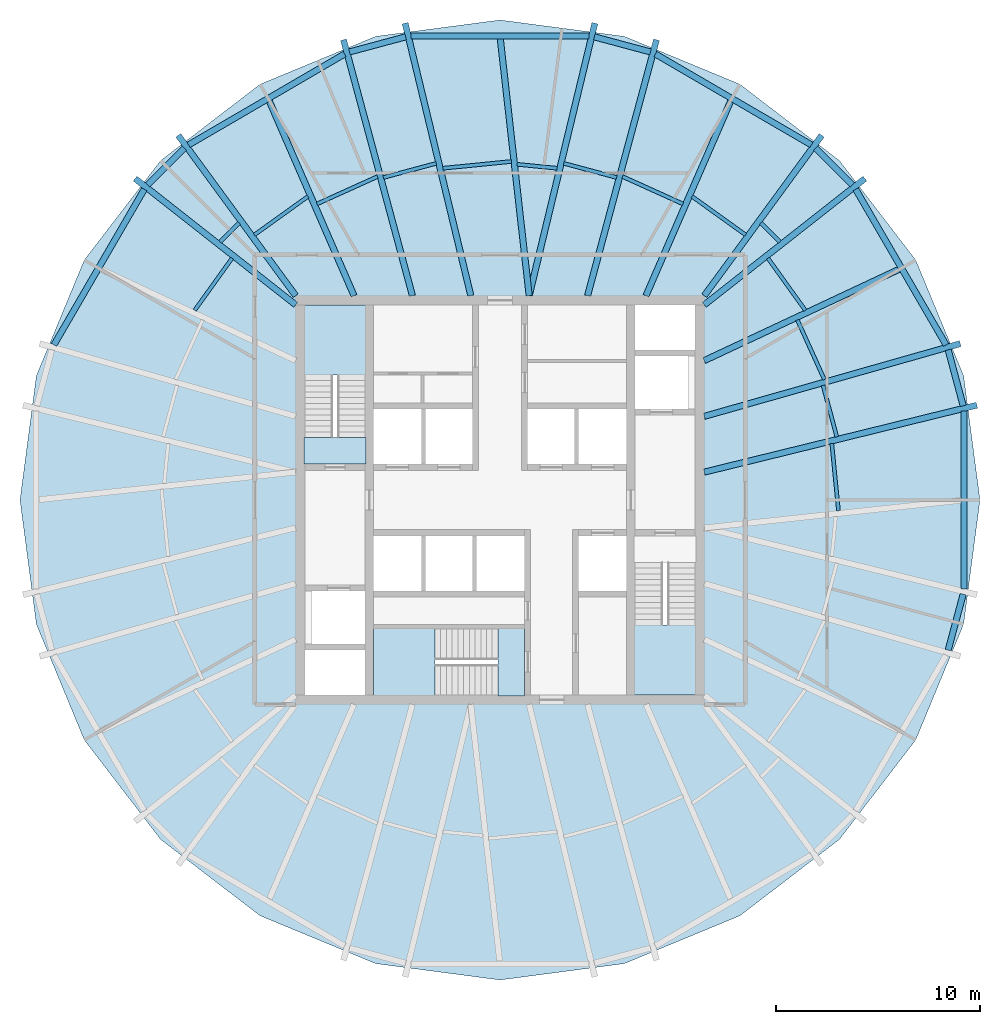
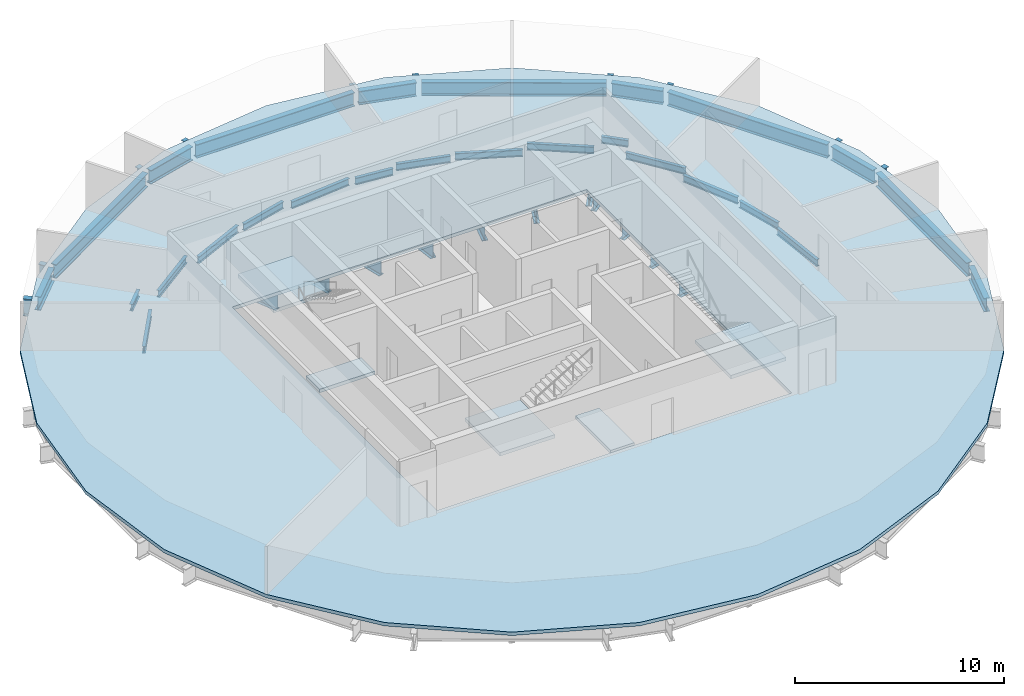
# One storey, part 2 of 6: 41 beams, 6 slabs, 3 elements without a shape of their own.
"""IFC4 building model written with IfcOpenShell, lengths in metres."""

from ifc_helpers import new_model, si_unit, direction, frame, origin, origin_2d, place, context, subcontext, project, spatial, polyline, i_section, outline, extrude, material, layer, layer_set, material_profile, profile_set, type_object, element, aggregate, save


model = new_model("IFC4")

# Units and contexts
model_context = context("Model", 3, precision=1e-05, world=origin(), true_north=direction((0.0, 1.0)))
body_context = subcontext(model_context, "Body", "Model", "MODEL_VIEW")
ifc_project = project(units=[si_unit("LENGTHUNIT", "METRE"), si_unit("AREAUNIT", "SQUARE_METRE"), si_unit("VOLUMEUNIT", "CUBIC_METRE"), si_unit("PLANEANGLEUNIT", "RADIAN"), si_unit("MASSUNIT", "GRAM", prefix="KILO")], contexts=[model_context])

# Site, building, storey
site_placement = place(None, origin())
site = spatial("IfcSite", under=ifc_project, at=site_placement, CompositionType="ELEMENT")
building_placement = place(site_placement, origin())
building = spatial("IfcBuilding", under=site, at=building_placement, Name="Golbaran Civic Tower", CompositionType="ELEMENT")
storey_placement = place(building_placement, frame((0.0, 0.0, 203.0)))
storey = spatial("IfcBuildingStorey", under=building, at=storey_placement, Name="L49", CompositionType="ELEMENT", Elevation=203.0)

# Beams
ifc_material_1 = material(Name="Steel S355", Category="steel")
ifc_material_profile_1 = material_profile(ifc_material_1, i_section(OverallWidth=0.300048828125, OverallDepth=0.800048828125, WebThickness=0.017578125, FlangeThickness=0.032958984375, FilletRadius=0.030029296875, at=origin_2d()), Name="HEB 800")
ifc_profile_set_1 = profile_set([ifc_material_profile_1], Name="Steel S355")
beam_type_1 = type_object("IfcBeamType", Name="EDGE BEAM HEB 800", PredefinedType="BEAM", material=ifc_profile_set_1)
beam_1_placement = place(storey_placement, frame((22.663330078125, 4.608642578125, -0.60009765625), z_axis=(-0.259012973033, 0.965873842591, 0.0), x_axis=(-0.965873842591, -0.259012973033, 0.0)))
element("IfcBeam", 1, at=beam_1_placement, inside=storey, type_object=beam_type_1, Name="Edge beam 11.30 L49", PredefinedType="BEAM", context=body_context, shape_type="SweptSolid", body=[
    extrude(i_section(OverallWidth=0.300048828125, OverallDepth=0.800048828125, WebThickness=0.017578125, FlangeThickness=0.032958984375, FilletRadius=0.030029296875, at=origin_2d()), origin(), (0.0, 0.0, 1.0), 2.835205078125),
])
beam_2_placement = place(storey_placement, frame((21.827880859375, 7.5888671875, -0.60009765625), z_axis=(-0.502360809211, 0.864658092756, 0.0), x_axis=(-0.864658092756, -0.502360809211, 0.0)))
element("IfcBeam", 2, at=beam_2_placement, inside=storey, type_object=beam_type_1, Name="Edge beam 18.70 L49", PredefinedType="BEAM", context=body_context, shape_type="SweptSolid", body=[
    extrude(i_section(OverallWidth=0.300048828125, OverallDepth=0.800048828125, WebThickness=0.017578125, FlangeThickness=0.032958984375, FilletRadius=0.030029296875, at=origin_2d()), origin(), (0.0, 0.0, 1.0), 8.8095703125),
])
beam_3_placement = place(storey_placement, frame((17.243896484375, 15.412353515625, -0.60009765625), z_axis=(-0.706483674404, 0.707729339367, 0.0), x_axis=(-0.707729339367, -0.706483674404, 0.0)))
element("IfcBeam", 3, at=beam_3_placement, inside=storey, type_object=beam_type_1, Name="Edge beam 41.30 L49", PredefinedType="BEAM", context=body_context, shape_type="SweptSolid", body=[
    extrude(i_section(OverallWidth=0.300048828125, OverallDepth=0.800048828125, WebThickness=0.017578125, FlangeThickness=0.032958984375, FilletRadius=0.030029296875, at=origin_2d()), origin(), (0.0, 0.0, 1.0), 2.5478515625),
])
beam_4_placement = place(storey_placement, frame((15.238037109375, 17.37451171875, -0.60009765625), z_axis=(-0.864030378393, 0.503439673858, 0.0), x_axis=(-0.503439673858, -0.864030378393, 0.0)))
element("IfcBeam", 4, at=beam_4_placement, inside=storey, type_object=beam_type_1, Name="Edge beam 48.70 L49", PredefinedType="BEAM", context=body_context, shape_type="SweptSolid", body=[
    extrude(i_section(OverallWidth=0.300048828125, OverallDepth=0.800048828125, WebThickness=0.017578125, FlangeThickness=0.032958984375, FilletRadius=0.030029296875, at=origin_2d()), origin(), (0.0, 0.0, 1.0), 8.834228515625),
])
beam_5_placement = place(storey_placement, frame((7.363037109375, 21.923583984375, -0.60009765625), z_axis=(-0.965762168807, 0.259429052539, 0.0), x_axis=(-0.259429052539, -0.965762168807, 0.0)))
element("IfcBeam", 5, at=beam_5_placement, inside=storey, type_object=beam_type_1, Name="Edge beam 71.30 L49", PredefinedType="BEAM", context=body_context, shape_type="SweptSolid", body=[
    extrude(i_section(OverallWidth=0.300048828125, OverallDepth=0.800048828125, WebThickness=0.017578125, FlangeThickness=0.032958984375, FilletRadius=0.030029296875, at=origin_2d()), origin(), (0.0, 0.0, 1.0), 2.8466796875),
])
beam_6_placement = place(storey_placement, frame((4.3544921875, 22.69580078125, -0.60009765625), z_axis=(-1.0, 0.0, 0.0), x_axis=(0.0, -1.0, 0.0)))
element("IfcBeam", 6, at=beam_6_placement, inside=storey, type_object=beam_type_1, Name="Edge beam 78.70 L49", PredefinedType="BEAM", context=body_context, shape_type="SweptSolid", body=[
    extrude(i_section(OverallWidth=0.300048828125, OverallDepth=0.800048828125, WebThickness=0.017578125, FlangeThickness=0.032958984375, FilletRadius=0.030029296875, at=origin_2d()), origin(), (0.0, 0.0, 1.0), 8.708984375),
])
beam_7_placement = place(storey_placement, frame((-4.61376953125, 22.662109375, -0.60009765625), z_axis=(-0.965762168807, -0.259429052539, 0.0), x_axis=(0.259429052539, -0.965762168807, 0.0)))
element("IfcBeam", 7, at=beam_7_placement, inside=storey, type_object=beam_type_1, Name="Edge beam 101.30 L49", PredefinedType="BEAM", context=body_context, shape_type="SweptSolid", body=[
    extrude(i_section(OverallWidth=0.300048828125, OverallDepth=0.800048828125, WebThickness=0.017578125, FlangeThickness=0.032958984375, FilletRadius=0.030029296875, at=origin_2d()), origin(), (0.0, 0.0, 1.0), 2.8466796875),
])
beam_8_placement = place(storey_placement, frame((-7.60498046875, 21.822021484375, -0.60009765625), z_axis=(-0.864030378393, -0.503439673858, 0.0), x_axis=(0.503439673858, -0.864030378393, 0.0)))
element("IfcBeam", 8, at=beam_8_placement, inside=storey, type_object=beam_type_1, Name="Edge beam 108.70 L49", PredefinedType="BEAM", context=body_context, shape_type="SweptSolid", body=[
    extrude(i_section(OverallWidth=0.300048828125, OverallDepth=0.800048828125, WebThickness=0.017578125, FlangeThickness=0.032958984375, FilletRadius=0.030029296875, at=origin_2d()), origin(), (0.0, 0.0, 1.0), 8.834228515625),
])
beam_9_placement = place(storey_placement, frame((-15.44384765625, 17.215576171875, -0.60009765625), z_axis=(-0.706483674404, -0.707729339367, 0.0), x_axis=(0.707729339367, -0.706483674404, 0.0)))
element("IfcBeam", 9, at=beam_9_placement, inside=storey, type_object=beam_type_1, Name="Edge beam 131.30 L49", PredefinedType="BEAM", context=body_context, shape_type="SweptSolid", body=[
    extrude(i_section(OverallWidth=0.300048828125, OverallDepth=0.800048828125, WebThickness=0.017578125, FlangeThickness=0.032958984375, FilletRadius=0.030029296875, at=origin_2d()), origin(), (0.0, 0.0, 1.0), 2.5478515625),
])
beam_10_placement = place(storey_placement, frame((-17.40234375, 15.2060546875, -0.60009765625), z_axis=(-0.502360809211, -0.864658092756, 0.0), x_axis=(0.864658092756, -0.502360809211, 0.0)))
element("IfcBeam", 10, at=beam_10_placement, inside=storey, type_object=beam_type_1, Name="Edge beam 138.70 L49", PredefinedType="BEAM", context=body_context, shape_type="SweptSolid", body=[
    extrude(i_section(OverallWidth=0.300048828125, OverallDepth=0.800048828125, WebThickness=0.017578125, FlangeThickness=0.032958984375, FilletRadius=0.030029296875, at=origin_2d()), origin(), (0.0, 0.0, 1.0), 8.8095703125),
])
beam_11_placement = place(storey_placement, frame((21.928955078125, -7.34716796875, -0.60009765625), z_axis=(0.259012973033, 0.965873842591, 0.0), x_axis=(-0.965873842591, 0.259012973033, 0.0)))
element("IfcBeam", 11, at=beam_11_placement, inside=storey, type_object=beam_type_1, Name="Edge beam 341.30 L49", PredefinedType="BEAM", context=body_context, shape_type="SweptSolid", body=[
    extrude(i_section(OverallWidth=0.300048828125, OverallDepth=0.800048828125, WebThickness=0.017578125, FlangeThickness=0.032958984375, FilletRadius=0.030029296875, at=origin_2d()), origin(), (0.0, 0.0, 1.0), 2.835205078125),
])
beam_12_placement = place(storey_placement, frame((22.69677734375, -4.34912109375, -0.60009765625), z_axis=(0.0, 1.0, 0.0), x_axis=(-1.0, 0.0, 0.0)))
element("IfcBeam", 12, at=beam_12_placement, inside=storey, type_object=beam_type_1, Name="Edge beam 348.70 L49", PredefinedType="BEAM", context=body_context, shape_type="SweptSolid", body=[
    extrude(i_section(OverallWidth=0.300048828125, OverallDepth=0.800048828125, WebThickness=0.017578125, FlangeThickness=0.032958984375, FilletRadius=0.030029296875, at=origin_2d()), origin(), (0.0, 0.0, 1.0), 8.6982421875),
])
ifc_material_profile_2 = material_profile(ifc_material_1, i_section(OverallWidth=0.179931640625, OverallDepth=0.39990234375, WebThickness=0.008544921875, FlangeThickness=0.013427734375, FilletRadius=0.02099609375, at=origin_2d()), Name="IPE 400")
ifc_profile_set_2 = profile_set([ifc_material_profile_2], Name="Steel S355")
beam_type_2 = type_object("IfcBeamType", Name="FLOOR INFILL BEAM IPE 400", PredefinedType="BEAM", material=ifc_profile_set_2)
beam_13_placement = place(storey_placement, frame((16.560791015625, -0.528564453125, -0.39990234375), z_axis=(-0.098494843942, 0.995137561203, 0.0), x_axis=(-0.995137561203, -0.098494843942, 0.0)))
element("IfcBeam", 13, at=beam_13_placement, inside=storey, type_object=beam_type_2, Name="Infill beam 5.65 L49", PredefinedType="BEAM", context=body_context, shape_type="SweptSolid", body=[
    extrude(i_section(OverallWidth=0.179931640625, OverallDepth=0.39990234375, WebThickness=0.008544921875, FlangeThickness=0.013427734375, FilletRadius=0.02099609375, at=origin_2d()), origin(), (0.0, 0.0, 1.0), 3.306640625),
])
beam_14_placement = place(storey_placement, frame((16.47998046875, 3.08984375, -0.39990234375), z_axis=(-0.258810998378, 0.965927982366, 0.0), x_axis=(-0.965927982366, -0.258810998378, 0.0)))
element("IfcBeam", 14, at=beam_14_placement, inside=storey, type_object=beam_type_2, Name="Infill beam 15.00 L49", PredefinedType="BEAM", context=body_context, shape_type="SweptSolid", body=[
    extrude(i_section(OverallWidth=0.179931640625, OverallDepth=0.39990234375, WebThickness=0.008544921875, FlangeThickness=0.013427734375, FilletRadius=0.02099609375, at=origin_2d()), origin(), (0.0, 0.0, 1.0), 2.6064453125),
])
beam_15_placement = place(storey_placement, frame((15.870361328125, 5.89599609375, -0.39990234375), z_axis=(-0.412267402969, 0.911062889404, 0.0), x_axis=(-0.911062889404, -0.412267402969, 0.0)))
element("IfcBeam", 15, at=beam_15_placement, inside=storey, type_object=beam_type_2, Name="Infill beam 24.35 L49", PredefinedType="BEAM", context=body_context, shape_type="SweptSolid", body=[
    extrude(i_section(OverallWidth=0.179931640625, OverallDepth=0.39990234375, WebThickness=0.008544921875, FlangeThickness=0.013427734375, FilletRadius=0.02099609375, at=origin_2d()), origin(), (0.0, 0.0, 1.0), 3.19970703125),
])
beam_16_placement = place(storey_placement, frame((14.939697265625, 9.2802734375, -0.39990234375), z_axis=(-0.582863216424, 0.812570286769, 0.0), x_axis=(-0.812570286769, -0.582863216424, 0.0)))
element("IfcBeam", 16, at=beam_16_placement, inside=storey, type_object=beam_type_2, Name="Infill beam 35.65 L49", PredefinedType="BEAM", context=body_context, shape_type="SweptSolid", body=[
    extrude(i_section(OverallWidth=0.179931640625, OverallDepth=0.39990234375, WebThickness=0.008544921875, FlangeThickness=0.013427734375, FilletRadius=0.02099609375, at=origin_2d()), origin(), (0.0, 0.0, 1.0), 3.138671875),
])
beam_17_placement = place(storey_placement, frame((13.7021484375, 12.626953125, -0.39990234375), z_axis=(-0.707199195324, 0.70701435497, 0.0), x_axis=(-0.70701435497, -0.707199195324, 0.0)))
element("IfcBeam", 17, at=beam_17_placement, inside=storey, type_object=beam_type_2, Name="Infill beam 45.00 L49", PredefinedType="BEAM", context=body_context, shape_type="SweptSolid", body=[
    extrude(i_section(OverallWidth=0.179931640625, OverallDepth=0.39990234375, WebThickness=0.008544921875, FlangeThickness=0.013427734375, FilletRadius=0.02099609375, at=origin_2d()), origin(), (0.0, 0.0, 1.0), 1.32080078125),
])
beam_18_placement = place(storey_placement, frame((12.01611328125, 12.973876953125, -0.39990234375), z_axis=(-0.812554629011, 0.582885044303, 0.0), x_axis=(-0.582885044303, -0.812554629011, 0.0)))
element("IfcBeam", 18, at=beam_18_placement, inside=storey, type_object=beam_type_2, Name="Infill beam 54.35 L49", PredefinedType="BEAM", context=body_context, shape_type="SweptSolid", body=[
    extrude(i_section(OverallWidth=0.179931640625, OverallDepth=0.39990234375, WebThickness=0.008544921875, FlangeThickness=0.013427734375, FilletRadius=0.02099609375, at=origin_2d()), origin(), (0.0, 0.0, 1.0), 3.22314453125),
])
beam_19_placement = place(storey_placement, frame((8.954345703125, 14.486572265625, -0.39990234375), z_axis=(-0.911033435197, 0.412332487143, 0.0), x_axis=(-0.412332487143, -0.911033435197, 0.0)))
element("IfcBeam", 19, at=beam_19_placement, inside=storey, type_object=beam_type_2, Name="Infill beam 65.65 L49", PredefinedType="BEAM", context=body_context, shape_type="SweptSolid", body=[
    extrude(i_section(OverallWidth=0.179931640625, OverallDepth=0.39990234375, WebThickness=0.008544921875, FlangeThickness=0.013427734375, FilletRadius=0.02099609375, at=origin_2d()), origin(), (0.0, 0.0, 1.0), 3.253662109375),
])
beam_20_placement = place(storey_placement, frame((5.70751953125, 15.7783203125, -0.39990234375), z_axis=(-0.965922403775, 0.258831817762, 0.0), x_axis=(-0.258831817762, -0.965922403775, 0.0)))
element("IfcBeam", 20, at=beam_20_placement, inside=storey, type_object=beam_type_2, Name="Infill beam 75.00 L49", PredefinedType="BEAM", context=body_context, shape_type="SweptSolid", body=[
    extrude(i_section(OverallWidth=0.179931640625, OverallDepth=0.39990234375, WebThickness=0.008544921875, FlangeThickness=0.013427734375, FilletRadius=0.02099609375, at=origin_2d()), origin(), (0.0, 0.0, 1.0), 2.677001953125),
])
beam_21_placement = place(storey_placement, frame((2.796630859375, 16.231201171875, -0.39990234375), z_axis=(-0.995133663007, 0.098534221209, 0.0), x_axis=(-0.098534221209, -0.995133663007, 0.0)))
element("IfcBeam", 21, at=beam_21_placement, inside=storey, type_object=beam_type_2, Name="Infill beam 84.35 L49", PredefinedType="BEAM", context=body_context, shape_type="SweptSolid", body=[
    extrude(i_section(OverallWidth=0.179931640625, OverallDepth=0.39990234375, WebThickness=0.008544921875, FlangeThickness=0.013427734375, FilletRadius=0.02099609375, at=origin_2d()), origin(), (0.0, 0.0, 1.0), 1.9697265625),
])
beam_22_placement = place(storey_placement, frame((0.559326171875, 16.5634765625, -0.39990234375), z_axis=(-0.995134194351, -0.098528854831, 0.0), x_axis=(0.098528854831, -0.995134194351, 0.0)))
element("IfcBeam", 22, at=beam_22_placement, inside=storey, type_object=beam_type_2, Name="Infill beam 95.65 L49", PredefinedType="BEAM", context=body_context, shape_type="SweptSolid", body=[
    extrude(i_section(OverallWidth=0.179931640625, OverallDepth=0.39990234375, WebThickness=0.008544921875, FlangeThickness=0.013427734375, FilletRadius=0.02099609375, at=origin_2d()), origin(), (0.0, 0.0, 1.0), 3.372314453125),
])
beam_23_placement = place(storey_placement, frame((-3.121826171875, 16.47119140625, -0.39990234375), z_axis=(-0.965922403775, -0.258831817762, 0.0), x_axis=(0.258831817762, -0.965922403775, 0.0)))
element("IfcBeam", 23, at=beam_23_placement, inside=storey, type_object=beam_type_2, Name="Infill beam 105.00 L49", PredefinedType="BEAM", context=body_context, shape_type="SweptSolid", body=[
    extrude(i_section(OverallWidth=0.179931640625, OverallDepth=0.39990234375, WebThickness=0.008544921875, FlangeThickness=0.013427734375, FilletRadius=0.02099609375, at=origin_2d()), origin(), (0.0, 0.0, 1.0), 2.677001953125),
])
beam_24_placement = place(storey_placement, frame((-5.990234375, 15.828125, -0.39990234375), z_axis=(-0.911033435197, -0.412332487143, 0.0), x_axis=(0.412332487143, -0.911033435197, 0.0)))
element("IfcBeam", 24, at=beam_24_placement, inside=storey, type_object=beam_type_2, Name="Infill beam 114.35 L49", PredefinedType="BEAM", context=body_context, shape_type="SweptSolid", body=[
    extrude(i_section(OverallWidth=0.179931640625, OverallDepth=0.39990234375, WebThickness=0.008544921875, FlangeThickness=0.013427734375, FilletRadius=0.02099609375, at=origin_2d()), origin(), (0.0, 0.0, 1.0), 3.253662109375),
])
beam_25_placement = place(storey_placement, frame((-9.397216796875, 14.8525390625, -0.39990234375), z_axis=(-0.812554629011, -0.582885044303, 0.0), x_axis=(0.582885044303, -0.812554629011, 0.0)))
element("IfcBeam", 25, at=beam_25_placement, inside=storey, type_object=beam_type_2, Name="Infill beam 125.65 L49", PredefinedType="BEAM", context=body_context, shape_type="SweptSolid", body=[
    extrude(i_section(OverallWidth=0.179931640625, OverallDepth=0.39990234375, WebThickness=0.008544921875, FlangeThickness=0.013427734375, FilletRadius=0.02099609375, at=origin_2d()), origin(), (0.0, 0.0, 1.0), 3.22314453125),
])
beam_26_placement = place(storey_placement, frame((-12.76806640625, 13.560791015625, -0.39990234375), z_axis=(-0.707199195324, -0.70701435497, 0.0), x_axis=(0.70701435497, -0.707199195324, 0.0)))
element("IfcBeam", 26, at=beam_26_placement, inside=storey, type_object=beam_type_2, Name="Infill beam 135.00 L49", PredefinedType="BEAM", context=body_context, shape_type="SweptSolid", body=[
    extrude(i_section(OverallWidth=0.179931640625, OverallDepth=0.39990234375, WebThickness=0.008544921875, FlangeThickness=0.013427734375, FilletRadius=0.02099609375, at=origin_2d()), origin(), (0.0, 0.0, 1.0), 1.32080078125),
])
beam_27_placement = place(storey_placement, frame((-13.1103515625, 11.83056640625, -0.39990234375), z_axis=(-0.582863216424, -0.812570286769, 0.0), x_axis=(0.812570286769, -0.582863216424, 0.0)))
element("IfcBeam", 27, at=beam_27_placement, inside=storey, type_object=beam_type_2, Name="Infill beam 144.35 L49", PredefinedType="BEAM", context=body_context, shape_type="SweptSolid", body=[
    extrude(i_section(OverallWidth=0.179931640625, OverallDepth=0.39990234375, WebThickness=0.008544921875, FlangeThickness=0.013427734375, FilletRadius=0.02099609375, at=origin_2d()), origin(), (0.0, 0.0, 1.0), 3.138671875),
])
ifc_material_profile_3 = material_profile(ifc_material_1, i_section(OverallWidth=0.300048828125, OverallDepth=1.0, WebThickness=0.01904296875, FlangeThickness=0.035888671875, FilletRadius=0.030029296875, at=origin_2d()), Name="HEB 1000")
ifc_profile_set_3 = profile_set([ifc_material_profile_3], Name="Steel S355")
beam_type_3 = type_object("IfcBeamType", Name="RADIAL FLOOR BEAM HEB 1000", PredefinedType="BEAM", material=ifc_profile_set_3)
beam_28_placement = place(storey_placement, frame((10.0, 1.3642578125, -0.7099609375), z_axis=(0.971135627065, 0.238527972878, 0.0), x_axis=(-0.238527972878, 0.971135627065, 0.0)))
element("IfcBeam", 28, at=beam_28_placement, inside=storey, type_object=beam_type_3, Name="Radial beam 11.30 L49", PredefinedType="BEAM", context=body_context, shape_type="SweptSolid", body=[
    extrude(i_section(OverallWidth=0.300048828125, OverallDepth=1.0, WebThickness=0.01904296875, FlangeThickness=0.035888671875, FilletRadius=0.030029296875, at=origin_2d()), origin(), (0.0, 0.0, 1.0), 13.724609375),
])
beam_29_placement = place(storey_placement, frame((10.0, 4.0927734375, -0.7099609375), z_axis=(0.961917201572, 0.273340990923, 0.0), x_axis=(-0.273340990923, 0.961917201572, 0.0)))
element("IfcBeam", 29, at=beam_29_placement, inside=storey, type_object=beam_type_3, Name="Radial beam 18.70 L49", PredefinedType="BEAM", context=body_context, shape_type="SweptSolid", body=[
    extrude(i_section(OverallWidth=0.300048828125, OverallDepth=1.0, WebThickness=0.01904296875, FlangeThickness=0.035888671875, FilletRadius=0.030029296875, at=origin_2d()), origin(), (0.0, 0.0, 1.0), 13.01611328125),
])
beam_30_placement = place(storey_placement, frame((10.0, 9.550048828125, -0.7099609375), z_axis=(0.78603926777, 0.618176568242, 0.0), x_axis=(-0.618176568242, 0.78603926777, 0.0)))
element("IfcBeam", 30, at=beam_30_placement, inside=storey, type_object=beam_type_3, Name="Radial beam 41.30 L49", PredefinedType="BEAM", context=body_context, shape_type="SweptSolid", body=[
    extrude(i_section(OverallWidth=0.300048828125, OverallDepth=1.0, WebThickness=0.01904296875, FlangeThickness=0.035888671875, FilletRadius=0.030029296875, at=origin_2d()), origin(), (0.0, 0.0, 1.0), 9.990234375),
])
beam_31_placement = place(storey_placement, frame((10.0, 10.0, -0.7099609375), z_axis=(0.590736222223, 0.806864744399, 0.0), x_axis=(-0.806864744399, 0.590736222223, 0.0)))
element("IfcBeam", 31, at=beam_31_placement, inside=storey, type_object=beam_type_3, Name="Radial beam 48.70 L49", PredefinedType="BEAM", context=body_context, shape_type="SweptSolid", body=[
    extrude(i_section(OverallWidth=0.300048828125, OverallDepth=1.0, WebThickness=0.01904296875, FlangeThickness=0.035888671875, FilletRadius=0.030029296875, at=origin_2d()), origin(), (0.0, 0.0, 1.0), 9.71923828125),
])
beam_32_placement = place(storey_placement, frame((4.28564453125, 10.0, -0.7099609375), z_axis=(0.260101119243, 0.965581383296, 0.0), x_axis=(-0.965581383296, 0.260101119243, 0.0)))
element("IfcBeam", 32, at=beam_32_placement, inside=storey, type_object=beam_type_3, Name="Radial beam 71.30 L49", PredefinedType="BEAM", context=body_context, shape_type="SweptSolid", body=[
    extrude(i_section(OverallWidth=0.300048828125, OverallDepth=1.0, WebThickness=0.01904296875, FlangeThickness=0.035888671875, FilletRadius=0.030029296875, at=origin_2d()), origin(), (0.0, 0.0, 1.0), 12.963623046875),
])
for number, where, z_axis, x_axis, name in (
    (33, (1.428466796875, 10.0, -0.7099609375), (0.234297587764, 0.972164924469, 0.0), (-0.972164924469, 0.234297587764, 0.0), "Radial beam 78.70 L49"),
    (34, (-1.428466796875, 10.0, -0.7099609375), (-0.234297587764, 0.972164924469, 0.0), (-0.972164924469, -0.234297587764, 0.0), "Radial beam 101.30 L49"),
):
    element("IfcBeam", number, at=place(storey_placement, frame(where, z_axis=z_axis, x_axis=x_axis)), inside=storey, type_object=beam_type_3, Name=name, PredefinedType="BEAM", context=body_context, shape_type="SweptSolid", body=[
        extrude(i_section(OverallWidth=0.300048828125, OverallDepth=1.0, WebThickness=0.01904296875, FlangeThickness=0.035888671875, FilletRadius=0.030029296875, at=origin_2d()), origin(), (0.0, 0.0, 1.0), 13.709716796875),
    ])
beam_33_placement = place(storey_placement, frame((-4.28564453125, 10.0, -0.7099609375), z_axis=(-0.260101119243, 0.965581383296, 0.0), x_axis=(-0.965581383296, -0.260101119243, 0.0)))
element("IfcBeam", 35, at=beam_33_placement, inside=storey, type_object=beam_type_3, Name="Radial beam 108.70 L49", PredefinedType="BEAM", context=body_context, shape_type="SweptSolid", body=[
    extrude(i_section(OverallWidth=0.300048828125, OverallDepth=1.0, WebThickness=0.01904296875, FlangeThickness=0.035888671875, FilletRadius=0.030029296875, at=origin_2d()), origin(), (0.0, 0.0, 1.0), 12.963623046875),
])
beam_34_placement = place(storey_placement, frame((-10.0, 10.0, -0.7099609375), z_axis=(-0.590736222223, 0.806864744399, 0.0), x_axis=(-0.806864744399, -0.590736222223, 0.0)))
element("IfcBeam", 36, at=beam_34_placement, inside=storey, type_object=beam_type_3, Name="Radial beam 131.30 L49", PredefinedType="BEAM", context=body_context, shape_type="SweptSolid", body=[
    extrude(i_section(OverallWidth=0.300048828125, OverallDepth=1.0, WebThickness=0.01904296875, FlangeThickness=0.035888671875, FilletRadius=0.030029296875, at=origin_2d()), origin(), (0.0, 0.0, 1.0), 9.71923828125),
])
beam_35_placement = place(storey_placement, frame((-10.0, 9.550048828125, -0.7099609375), z_axis=(-0.78603926777, 0.618176568242, 0.0), x_axis=(-0.618176568242, -0.78603926777, 0.0)))
element("IfcBeam", 37, at=beam_35_placement, inside=storey, type_object=beam_type_3, Name="Radial beam 138.70 L49", PredefinedType="BEAM", context=body_context, shape_type="SweptSolid", body=[
    extrude(i_section(OverallWidth=0.300048828125, OverallDepth=1.0, WebThickness=0.01904296875, FlangeThickness=0.035888671875, FilletRadius=0.030029296875, at=origin_2d()), origin(), (0.0, 0.0, 1.0), 9.990234375),
])
ifc_material_profile_4 = material_profile(ifc_material_1, i_section(OverallWidth=0.300048828125, OverallDepth=1.0, WebThickness=0.01904296875, FlangeThickness=0.035888671875, FilletRadius=0.030029296875, at=origin_2d()), Name="HEB 1000")
ifc_profile_set_4 = profile_set([ifc_material_profile_4], Name="Steel S355")
beam_type_4 = type_object("IfcBeamType", Name="SECONDARY FLOOR BEAM HEB 1000", PredefinedType="BEAM", material=ifc_profile_set_4)
beam_36_placement = place(storey_placement, frame((10.0, 6.821533203125, -0.7099609375), z_axis=(0.905474071955, 0.424401584608, 0.0), x_axis=(-0.424401584608, 0.905474071955, 0.0)))
element("IfcBeam", 38, at=beam_36_placement, inside=storey, type_object=beam_type_4, Name="Secondary beam 30.00 L49", PredefinedType="BEAM", context=body_context, shape_type="SweptSolid", body=[
    extrude(i_section(OverallWidth=0.300048828125, OverallDepth=1.0, WebThickness=0.01904296875, FlangeThickness=0.035888671875, FilletRadius=0.030029296875, at=origin_2d()), origin(), (0.0, 0.0, 1.0), 10.65380859375),
])
beam_37_placement = place(storey_placement, frame((7.142822265625, 10.0, -0.7099609375), z_axis=(0.399173309626, 0.916875492574, 0.0), x_axis=(-0.916875492574, 0.399173309626, 0.0)))
element("IfcBeam", 39, at=beam_37_placement, inside=storey, type_object=beam_type_4, Name="Secondary beam 60.00 L49", PredefinedType="BEAM", context=body_context, shape_type="SweptSolid", body=[
    extrude(i_section(OverallWidth=0.300048828125, OverallDepth=1.0, WebThickness=0.01904296875, FlangeThickness=0.035888671875, FilletRadius=0.030029296875, at=origin_2d()), origin(), (0.0, 0.0, 1.0), 10.519287109375),
])
beam_38_placement = place(storey_placement, frame((1.428466796875, 10.0, -0.7099609375), z_axis=(-0.111809397786, 0.993729670769, 0.0), x_axis=(-0.993729670769, -0.111809397786, 0.0)))
element("IfcBeam", 40, at=beam_38_placement, inside=storey, type_object=beam_type_4, Name="Secondary beam 90.00 L49", PredefinedType="BEAM", context=body_context, shape_type="SweptSolid", body=[
    extrude(i_section(OverallWidth=0.300048828125, OverallDepth=1.0, WebThickness=0.01904296875, FlangeThickness=0.035888671875, FilletRadius=0.030029296875, at=origin_2d()), origin(), (0.0, 0.0, 1.0), 12.77587890625),
])
beam_39_placement = place(storey_placement, frame((-7.142822265625, 10.0, -0.7099609375), z_axis=(-0.399173309626, 0.916875492574, 0.0), x_axis=(-0.916875492574, -0.399173309626, 0.0)))
element("IfcBeam", 41, at=beam_39_placement, inside=storey, type_object=beam_type_4, Name="Secondary beam 120.00 L49", PredefinedType="BEAM", context=body_context, shape_type="SweptSolid", body=[
    extrude(i_section(OverallWidth=0.300048828125, OverallDepth=1.0, WebThickness=0.01904296875, FlangeThickness=0.035888671875, FilletRadius=0.030029296875, at=origin_2d()), origin(), (0.0, 0.0, 1.0), 10.519287109375),
])

# Slab
ifc_material_2 = material(Name="Concrete LC30/33 lightweight on steel deck", Category="concrete")
ifc_layer_1 = layer(ifc_material_2, 0.199951171875, Name="Concrete LC30/33 lightweight on steel deck")
ifc_layer_set_1 = layer_set([ifc_layer_1], Name="Concrete LC30/33 lightweight on steel deck")
slab_type_1 = type_object("IfcSlabType", Name="COMPOSITE FLOOR SLAB 200", PredefinedType="FLOOR", material=ifc_layer_set_1)
slab_1_placement = place(storey_placement, frame((0.0, 0.0, -0.199951171875)))
element("IfcSlab", 42, at=slab_1_placement, inside=storey, type_object=slab_type_1, Name="Floor slab L49", PredefinedType="FLOOR", context=body_context, shape_type="SweptSolid", body=[
    extrude(outline(polyline([(20.33984375, -11.7431640625), (16.607421875, -16.607421875), (11.7431640625, -20.33984375), (6.07861328125, -22.68603515625), (0.0, -23.486328125), (-6.07861328125, -22.68603515625), (-11.7431640625, -20.33984375), (-16.607421875, -16.607421875), (-20.33984375, -11.7431640625), (-22.68603515625, -6.07861328125), (-23.486328125, 0.0), (-22.68603515625, 6.07861328125), (-20.33984375, 11.7431640625), (-16.607421875, 16.607421875), (-11.7431640625, 20.33984375), (-6.07861328125, 22.68603515625), (0.0, 23.486328125), (6.07861328125, 22.68603515625), (11.7431640625, 20.33984375), (16.607421875, 16.607421875), (20.33984375, 11.7431640625), (22.68603515625, 6.07861328125), (23.486328125, 0.0), (22.68603515625, -6.07861328125), (20.33984375, -11.7431640625)]), holes=[polyline([(-9.77490234375, 9.77490234375), (-9.77490234375, -9.77490234375), (9.77490234375, -9.77490234375), (9.77490234375, 9.77490234375), (-9.77490234375, 9.77490234375)])]), origin(), (0.0, 0.0, 1.0), 0.199951171875),
])

# Stair, slab
ifc_material_3 = material(Name="Concrete C35/45", Category="concrete")
stair_type_1 = type_object("IfcStairType", Name="EXIT STAIR 2950 x 7800, 4000 RISE", PredefinedType="HALF_TURN_STAIR", material=ifc_material_3)
stair_1_placement = place(storey_placement, origin())
stair_1 = element("IfcStair", 43, at=stair_1_placement, inside=storey, type_object=stair_type_1, Name="Stair S1 L49", PredefinedType="HALF_TURN_STAIR")
ifc_layer_2 = layer(ifc_material_3, 0.199951171875, Name="Concrete C35/45")
ifc_layer_set_2 = layer_set([ifc_layer_2], Name="Concrete C35/45")
slab_type_2 = type_object("IfcSlabType", Name="STAIR LANDING 200", PredefinedType="LANDING", material=ifc_layer_set_2)
slab_2_placement = place(storey_placement, frame((0.0, 0.0, 1.800048828125)))
slab_2 = element("IfcSlab", 44, at=slab_2_placement, type_object=slab_type_2, Name="ST29578-40 landing 1", PredefinedType="LANDING", context=body_context, shape_type="SweptSolid", body=[
    extrude(outline(polyline([(-9.60009765625, 6.125), (-9.60009765625, 9.550048828125), (-6.550048828125, 9.550048828125), (-6.550048828125, 6.125), (-9.60009765625, 6.125)])), origin(), (0.0, 0.0, 1.0), 0.199951171875),
])
aggregate(stair_1, [slab_2])

# Slab
slab_3_placement = place(storey_placement, frame((0.0, 0.0, -0.199951171875)))
element("IfcSlab", 45, at=slab_3_placement, inside=storey, type_object=slab_type_2, Name="Stair S1 floor landing L49", PredefinedType="LANDING", context=body_context, shape_type="SweptSolid", body=[
    extrude(outline(polyline([(-9.60009765625, 1.75), (-9.60009765625, 3.054931640625), (-6.550048828125, 3.054931640625), (-6.550048828125, 1.75), (-9.60009765625, 1.75)])), origin(), (0.0, 0.0, 1.0), 0.199951171875),
])

# Stair, slab
stair_2_placement = place(storey_placement, origin())
stair_2 = element("IfcStair", 46, at=stair_2_placement, inside=storey, type_object=stair_type_1, Name="Stair S2 L49", PredefinedType="HALF_TURN_STAIR")
slab_4_placement = place(storey_placement, frame((0.0, 0.0, 1.800048828125)))
slab_4 = element("IfcSlab", 47, at=slab_4_placement, type_object=slab_type_2, Name="ST29578-40 landing 1", PredefinedType="LANDING", context=body_context, shape_type="SweptSolid", body=[
    extrude(outline(polyline([(9.60009765625, -6.125), (9.60009765625, -9.550048828125), (6.550048828125, -9.550048828125), (6.550048828125, -6.125), (9.60009765625, -6.125)])), origin(), (0.0, 0.0, 1.0), 0.199951171875),
])
aggregate(stair_2, [slab_4])

stair_type_2 = type_object("IfcStairType", Name="EXIT STAIR 3250 x 7400, 4000 RISE", PredefinedType="HALF_TURN_STAIR", material=ifc_material_3)
stair_3_placement = place(storey_placement, origin())
stair_3 = element("IfcStair", 48, at=stair_3_placement, inside=storey, type_object=stair_type_2, Name="Stair S3 L49", PredefinedType="HALF_TURN_STAIR")
slab_5_placement = place(storey_placement, frame((0.0, 0.0, 1.800048828125)))
slab_5 = element("IfcSlab", 49, at=slab_5_placement, type_object=slab_type_2, Name="ST32574-40 landing 1", PredefinedType="LANDING", context=body_context, shape_type="SweptSolid", body=[
    extrude(outline(polyline([(-3.175048828125, -9.60009765625), (-6.199951171875, -9.60009765625), (-6.199951171875, -6.25), (-3.175048828125, -6.25), (-3.175048828125, -9.60009765625)])), origin(), (0.0, 0.0, 1.0), 0.199951171875),
])
aggregate(stair_3, [slab_5])

# Slab
slab_6_placement = place(storey_placement, frame((0.0, 0.0, -0.199951171875)))
element("IfcSlab", 50, at=slab_6_placement, inside=storey, type_object=slab_type_2, Name="Stair S3 floor landing L49", PredefinedType="LANDING", context=body_context, shape_type="SweptSolid", body=[
    extrude(outline(polyline([(1.199951171875, -9.60009765625), (-0.10498046875, -9.60009765625), (-0.10498046875, -6.25), (1.199951171875, -6.25), (1.199951171875, -9.60009765625)])), origin(), (0.0, 0.0, 1.0), 0.199951171875),
])

save(model, "model.ifc")
